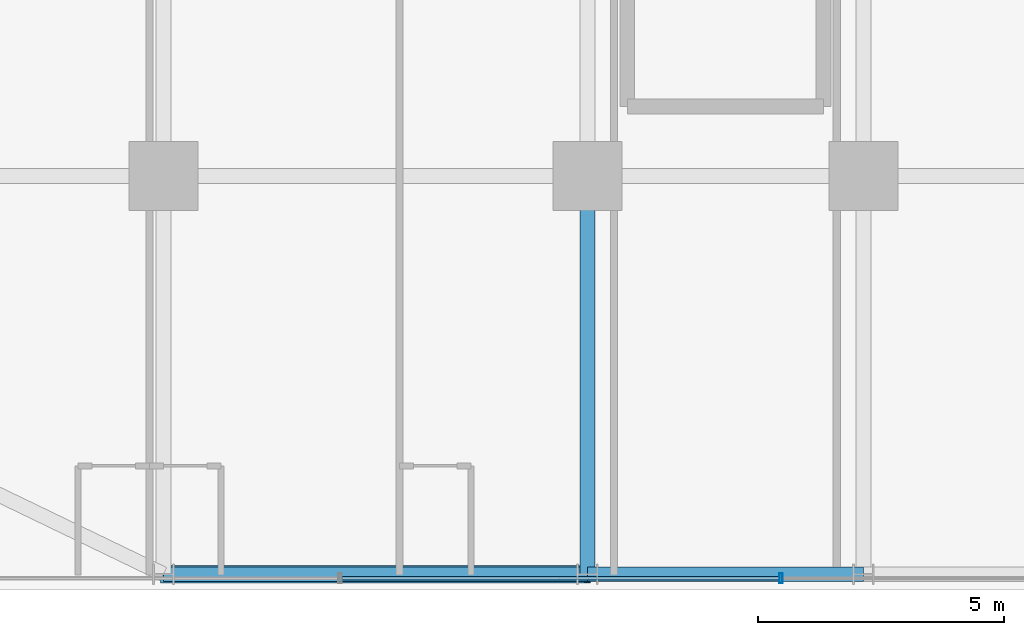
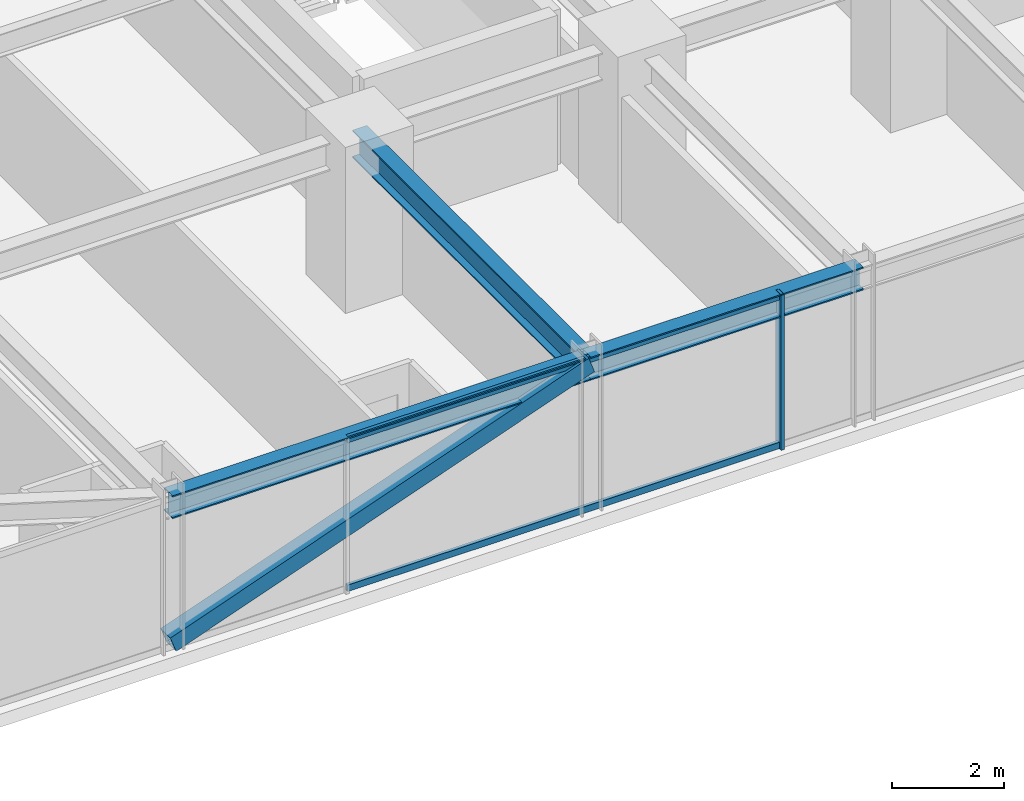
# One storey, part 5 of 43: 4 members, 3 beams, 1 element without a shape of its own.
"""IFC4 building model written with IfcOpenShell, lengths in metres."""

import ifcopenshell
import ifcopenshell.guid

model = None  # the IFC model being written
_history = None  # IfcOwnerHistory: only IFC2X3 demands one
_inside = {}  # id of a spatial element -> (the spatial element, [elements in it])
_under = {}  # id of a project, library or spatial element -> (it, [spatial elements below it])
_declared = {}  # id of a project -> (the project, [libraries it declares])
_typed = {}  # id of a type object -> (the type object, [elements of that type])
_made_of = {}  # id of a material, layer set ... -> (it, [elements and type objects made of it])


def new_model(schema):
    """Start an empty IFC model of exactly this schema.

    Asked for "IFC4X3", IfcOpenShell would pick the latest addendum, in which some entities
    have other attributes; the version numbers below select the first issue.
    IFC2X3 requires an IfcOwnerHistory on every rooted entity: one is made here for all.
    """
    global model, _history
    if schema == "IFC4X3":
        model = ifcopenshell.file(schema_version=(4, 3, 0, 0))
    else:
        model = ifcopenshell.file(schema=schema)
    _inside.clear()
    _under.clear()
    _declared.clear()
    _typed.clear()
    _made_of.clear()
    _history = None
    if model.schema == "IFC2X3":
        org = make("IfcOrganization", Name="unknown")
        user = make(
            "IfcPersonAndOrganization",
            ThePerson=make("IfcPerson", FamilyName="unknown"),
            TheOrganization=org,
        )
        app = make(
            "IfcApplication",
            ApplicationDeveloper=org,
            Version="unknown",
            ApplicationFullName="unknown",
            ApplicationIdentifier="unknown",
        )
        _history = make(
            "IfcOwnerHistory",
            OwningUser=user,
            OwningApplication=app,
            ChangeAction="ADDED",
            CreationDate=0,
        )
    return model


def make(cls, **values):
    """One entity of the class cls with the attributes given. An attribute that is None is left unset."""
    return model.create_entity(
        cls, **{name: value for name, value in values.items() if value is not None}
    )


def rooted(cls, **values):
    """An entity with a GlobalId (a new one), such as an element, a storey or a relation."""
    return make(cls, GlobalId=ifcopenshell.guid.new(), OwnerHistory=_history, **values)


def si_unit(unit_type, name, prefix=None):
    """IfcSIUnit, for example si_unit("LENGTHUNIT", "METRE", prefix="MILLI")."""
    return make("IfcSIUnit", UnitType=unit_type, Prefix=prefix, Name=name)


def assignment(units):
    """IfcUnitAssignment: the units of a project."""
    return None if units is None else make("IfcUnitAssignment", Units=units)


def point(xyz):
    """IfcCartesianPoint."""
    return None if xyz is None else make("IfcCartesianPoint", Coordinates=xyz)


def direction(xyz):
    """IfcDirection."""
    return None if xyz is None else make("IfcDirection", DirectionRatios=xyz)


def frame(location, z_axis=None, x_axis=None):
    """IfcAxis2Placement3D, a coordinate frame: its origin and axes. An axis left out is left unset."""
    return make(
        "IfcAxis2Placement3D",
        Location=point(location),
        Axis=direction(z_axis),
        RefDirection=direction(x_axis),
    )


def frame_2d(location, x_axis=None):
    """IfcAxis2Placement2D, a coordinate frame in the plane: its origin and x axis."""
    return make(
        "IfcAxis2Placement2D", Location=point(location), RefDirection=direction(x_axis)
    )


def origin():
    """The frame at (0, 0, 0) with its axes left unset."""
    return frame((0.0, 0.0, 0.0))


def origin_2d():
    """The frame at (0, 0) in the plane with its x axis left unset."""
    return frame_2d((0.0, 0.0))


def place(relative_to, where):
    """IfcLocalPlacement: puts the frame where relative to a parent placement (None: the world)."""
    return make(
        "IfcLocalPlacement", PlacementRelTo=relative_to, RelativePlacement=where
    )


def context(
    kind, dimensions, precision=None, world=None, true_north=None, identifier=None
):
    """IfcGeometricRepresentationContext, for example the 3D "Model" context."""
    return make(
        "IfcGeometricRepresentationContext",
        ContextIdentifier=identifier,
        ContextType=kind,
        CoordinateSpaceDimension=dimensions,
        Precision=precision,
        WorldCoordinateSystem=world,
        TrueNorth=true_north,
    )


def subcontext(parent, identifier, kind, view, scale=None):
    """IfcGeometricRepresentationSubContext, for example "Body" below "Model"."""
    return make(
        "IfcGeometricRepresentationSubContext",
        ContextIdentifier=identifier,
        ContextType=kind,
        ParentContext=parent,
        TargetScale=scale,
        TargetView=view,
    )


def project(units=None, contexts=None):
    """IfcProject with its units and contexts."""
    return rooted(
        "IfcProject",
        Name="project",
        RepresentationContexts=contexts,
        UnitsInContext=assignment(units),
    )


def spatial(cls, under=None, at=None, **own):
    """A site, building, storey or space (cls), placed at a placement, below another one or the project."""
    s = rooted(cls, ObjectPlacement=at, **own)
    if under is not None:
        _under.setdefault(under.id(), (under, []))[1].append(s)
    return s


def profile(cls, at=None, kind="AREA", **sizes):
    """A parametric profile (cls). Its sizes go by their IFC names, for example OverallWidth=200.0."""
    return make(cls, ProfileType=kind, Position=at, **sizes)


def hollow_rectangle(**sizes):
    """IfcRectangleHollowProfileDef."""
    return profile("IfcRectangleHollowProfileDef", **sizes)


def i_section(**sizes):
    """IfcIShapeProfileDef."""
    return profile("IfcIShapeProfileDef", **sizes)


def extrude(swept, where, along, depth):
    """IfcExtrudedAreaSolid: the profile swept, set in the frame where, extruded along a direction by depth."""
    return make(
        "IfcExtrudedAreaSolid",
        SweptArea=swept,
        Position=where,
        ExtrudedDirection=direction(along),
        Depth=depth,
    )


def shape(context_of_items, identifier, shape_type, items):
    """IfcShapeRepresentation: the items that make up one representation, for example the "Body"."""
    return make(
        "IfcShapeRepresentation",
        ContextOfItems=context_of_items,
        RepresentationIdentifier=identifier,
        RepresentationType=shape_type,
        Items=items,
    )


def source(mapping_origin, context_of_items, identifier, shape_type, items):
    """IfcRepresentationMap: a shape defined once, which mapped items show again and again."""
    return make(
        "IfcRepresentationMap",
        MappingOrigin=mapping_origin,
        MappedRepresentation=shape(context_of_items, identifier, shape_type, items),
    )


def transform(
    local_origin,
    x_axis=None,
    y_axis=None,
    z_axis=None,
    scale=None,
    scale2=None,
    scale3=None,
    uniform=True,
):
    """IfcCartesianTransformationOperator3D, or its non-uniform kind. x_axis, y_axis, z_axis: its Axis1, 2, 3."""
    if uniform:
        return make(
            "IfcCartesianTransformationOperator3D",
            Axis1=direction(x_axis),
            Axis2=direction(y_axis),
            LocalOrigin=point(local_origin),
            Scale=scale,
            Axis3=direction(z_axis),
        )
    return make(
        "IfcCartesianTransformationOperator3DnonUniform",
        Axis1=direction(x_axis),
        Axis2=direction(y_axis),
        LocalOrigin=point(local_origin),
        Scale=scale,
        Axis3=direction(z_axis),
        Scale2=scale2,
        Scale3=scale3,
    )


def mapped(mapping_source, mapping_target):
    """IfcMappedItem: shows the shape of a source again, moved by a transform."""
    return make(
        "IfcMappedItem", MappingSource=mapping_source, MappingTarget=mapping_target
    )


def material(Name=None, Category=None):
    """IfcMaterial."""
    return make("IfcMaterial", Name=Name, Category=Category)


def material_profile(
    of_material, cross_section, Name=None, Category=None, Priority=None
):
    """IfcMaterialProfile: a cross section and its material."""
    return make(
        "IfcMaterialProfile",
        Name=Name,
        Material=of_material,
        Profile=cross_section,
        Priority=Priority,
        Category=Category,
    )


def profile_set(profiles, Name=None, composite=None):
    """IfcMaterialProfileSet."""
    return make(
        "IfcMaterialProfileSet",
        Name=Name,
        MaterialProfiles=profiles,
        CompositeProfile=composite,
    )


def made_of(thing, what):
    """Note that an element or type object is made of a material, layer set ...; save() writes the relation."""
    if what is not None:
        _made_of.setdefault(what.id(), (what, []))[1].append(thing)
    return thing


def type_object(cls, material=None, **own):
    """A type object (cls), such as IfcWallType, which elements share."""
    return made_of(rooted(cls, **own), material)


def element(
    cls,
    number,
    at=None,
    inside=None,
    cuts=None,
    type_object=None,
    material=None,
    context=None,
    identifier="Body",
    shape_type=None,
    held_by="IfcProductDefinitionShape",
    body=None,
    shapes=None,
    **own,
):
    """One element of the class cls, such as IfcWall. Its Tag is "e" and its number.

    at: its placement. inside: the storey or other place that contains it. cuts: it is an
    opening in that element (IfcRelVoidsElement). A single representation is given by context,
    identifier, shape_type and body (its items); several are given by shapes. held_by: the class
    of the entity that holds the representations. save() writes the other relations.
    """
    e = rooted(cls, Tag="e%d" % number, ObjectPlacement=at, **own)
    if body is not None:
        shapes = [shape(context, identifier, shape_type, body)]
    if shapes is not None:
        e.Representation = make(held_by, Representations=shapes)
    if inside is not None:
        _inside.setdefault(inside.id(), (inside, []))[1].append(e)
    if cuts is not None:
        rooted(
            "IfcRelVoidsElement", RelatingBuildingElement=cuts, RelatedOpeningElement=e
        )
    if type_object is not None:
        _typed.setdefault(type_object.id(), (type_object, []))[1].append(e)
    return made_of(e, material)


def aggregate(whole, parts):
    """IfcRelAggregates: a whole, such as a stair, and the parts it consists of."""
    return rooted("IfcRelAggregates", RelatingObject=whole, RelatedObjects=parts)


def save(model, path):
    """Write the relations noted so far, then the file.

    IfcRelAggregates (storeys below a building ...), IfcRelContainedInSpatialStructure (elements
    in a storey), IfcRelDefinesByType, IfcRelAssociatesMaterial and IfcRelDeclares: one each for
    every whole, place, type object, material and project.
    """
    for whole, parts in _under.values():
        aggregate(whole, parts)
    for where, things in _inside.values():
        rooted(
            "IfcRelContainedInSpatialStructure",
            RelatedElements=things,
            RelatingStructure=where,
        )
    for kind, things in _typed.values():
        rooted("IfcRelDefinesByType", RelatedObjects=things, RelatingType=kind)
    for what, things in _made_of.values():
        rooted("IfcRelAssociatesMaterial", RelatedObjects=things, RelatingMaterial=what)
    for by, libraries in _declared.values():
        rooted("IfcRelDeclares", RelatingContext=by, RelatedDefinitions=libraries)
    model.write(path)


model = new_model("IFC4")

# Units and contexts
model_context = context("Model", 3, precision=1e-05, world=origin(), true_north=direction((0.0, 1.0)))
body_context = subcontext(model_context, "Body", "Model", "MODEL_VIEW")
ifc_project = project(units=[si_unit("LENGTHUNIT", "METRE"), si_unit("AREAUNIT", "SQUARE_METRE"), si_unit("VOLUMEUNIT", "CUBIC_METRE"), si_unit("PLANEANGLEUNIT", "RADIAN"), si_unit("MASSUNIT", "GRAM", prefix="KILO")], contexts=[model_context])

# Site, building, storey
site_placement = place(None, origin())
site = spatial("IfcSite", under=ifc_project, at=site_placement, CompositionType="ELEMENT")
building_placement = place(site_placement, origin())
building = spatial("IfcBuilding", under=site, at=building_placement, Name="Nahalor Promenade Grand Hotel", CompositionType="ELEMENT")
storey_placement = place(building_placement, frame((0.0, 0.0, 47.0)))
storey = spatial("IfcBuildingStorey", under=building, at=storey_placement, Name="L10", CompositionType="ELEMENT", Elevation=47.0)

# Beams
ifc_material_1 = material(Name="Steel S355JR", Category="steel")
ifc_material_profile_1 = material_profile(ifc_material_1, i_section(OverallWidth=0.3, OverallDepth=0.5, WebThickness=0.0145, FlangeThickness=0.028, at=origin_2d()), Name="HEB 500")
ifc_profile_set_1 = profile_set([ifc_material_profile_1], Name="Steel S355JR")
beam_type_1 = type_object("IfcBeamType", Name="Beam-Spandrel-HEB500", PredefinedType="SPANDREL", material=ifc_profile_set_1)
shared_shape_1 = source(origin(), body_context, "Body", "SweptSolid", [
    extrude(i_section(OverallWidth=0.3, OverallDepth=0.5, WebThickness=0.0145, FlangeThickness=0.028, at=origin_2d()), origin(), (0.0, 0.0, 1.0), 8.60009765625),
])
beam_1_placement = place(storey_placement, frame((-17.0, -25.080078125, 3.1201171875), z_axis=(1.0, 0.0, 0.0), x_axis=(0.0, 1.0, 0.0)))
element("IfcBeam", 1, at=beam_1_placement, inside=storey, type_object=beam_type_1, Name="BM-L10-SP-S-0", PredefinedType="SPANDREL", context=body_context, shape_type="MappedRepresentation", body=[
    mapped(shared_shape_1, transform((0.0, 0.0, 0.0), scale=1.0)),
])
shared_shape_2 = source(origin(), body_context, "Body", "SweptSolid", [
    extrude(i_section(OverallWidth=0.3, OverallDepth=0.5, WebThickness=0.0145, FlangeThickness=0.028, at=origin_2d()), origin(), (0.0, 0.0, 1.0), 5.599853515625),
])
beam_2_placement = place(storey_placement, frame((-8.39990234375, -25.080078125, 3.1201171875), z_axis=(1.0, 0.0, 0.0), x_axis=(0.0, 1.0, 0.0)))
element("IfcBeam", 2, at=beam_2_placement, inside=storey, type_object=beam_type_1, Name="BM-L10-SP-S-1", PredefinedType="SPANDREL", context=body_context, shape_type="MappedRepresentation", body=[
    mapped(shared_shape_2, transform((0.0, 0.0, 0.0), scale=1.0)),
])
ifc_material_profile_2 = material_profile(ifc_material_1, i_section(OverallWidth=0.3, OverallDepth=0.6, WebThickness=0.0155, FlangeThickness=0.03, at=origin_2d()), Name="HEB 600")
ifc_profile_set_2 = profile_set([ifc_material_profile_2], Name="Steel S355JR")
beam_type_2 = type_object("IfcBeamType", Name="Beam-Girder-HEB600", PredefinedType="BEAM", material=ifc_profile_set_2)
shared_shape_3 = source(origin(), body_context, "Body", "SweptSolid", [
    extrude(i_section(OverallWidth=0.3, OverallDepth=0.6, WebThickness=0.0155, FlangeThickness=0.03, at=origin_2d()), origin(), (0.0, 0.0, 1.0), 8.080078125),
])
beam_3_placement = place(storey_placement, frame((-8.39990234375, -25.080078125, 3.070068359375), z_axis=(0.0, 1.0, 0.0), x_axis=(-1.0, 0.0, 0.0)))
element("IfcBeam", 3, at=beam_3_placement, inside=storey, type_object=beam_type_2, Name="BM-L10-GY-1-0", PredefinedType="BEAM", context=body_context, shape_type="MappedRepresentation", body=[
    mapped(shared_shape_3, transform((0.0, 0.0, 0.0), scale=1.0)),
])

# Member
ifc_material_profile_3 = material_profile(ifc_material_1, hollow_rectangle(XDim=0.35, YDim=0.35, WallThickness=0.02, at=origin_2d()), Name="SHS 350x350x20")
ifc_profile_set_3 = profile_set([ifc_material_profile_3], Name="Steel S355JR")
member_type_1 = type_object("IfcMemberType", Name="Mem-VoidBrace-SHS350", PredefinedType="BRACE", material=ifc_profile_set_3)
shared_shape_4 = source(origin(), body_context, "Body", "SweptSolid", [
    extrude(hollow_rectangle(XDim=0.35, YDim=0.35, WallThickness=0.02, at=origin_2d()), origin(), (0.0, 0.0, 1.0), 9.131591796875),
])
member_1_placement = place(storey_placement, frame((-17.0, -25.080078125, 0.14990234375), z_axis=(0.941790292179, 0.0, 0.336200900589), x_axis=(0.0, 1.0, 0.0)))
element("IfcMember", 4, at=member_1_placement, inside=storey, type_object=member_type_1, Name="EXO-L10-S-0", PredefinedType="BRACE", context=body_context, shape_type="MappedRepresentation", body=[
    mapped(shared_shape_4, transform((0.0, 0.0, 0.0), scale=1.0)),
])

# Curtain wall, members
ifc_material_2 = material(Name="Anodised Bronze Aluminium EN AW-6063 T6", Category="aluminium")
curtain_wall_type = type_object("IfcCurtainWallType", Name="CW3 Elliptical-Void Collar Unitised Curtain Wall", PredefinedType="USERDEFINED", material=ifc_material_2)
curtain_wall_placement = place(storey_placement, origin())
curtain_wall = element("IfcCurtainWall", 5, at=curtain_wall_placement, inside=storey, type_object=curtain_wall_type, Name="L10 Curtain Wall CW-L10-S-1", ObjectType="UNITISED_CURTAIN_WALL", PredefinedType="USERDEFINED")
ifc_material_profile_4 = material_profile(ifc_material_2, hollow_rectangle(XDim=0.07, YDim=0.14, WallThickness=0.004, at=origin_2d()), Name="CWT 70x140x4")
ifc_profile_set_4 = profile_set([ifc_material_profile_4], Name="Anodised Bronze Aluminium EN AW-6063 T6")
member_type_2 = type_object("IfcMemberType", Name="CWT3 Void Collar Transom 70x140", PredefinedType="USERDEFINED", material=ifc_profile_set_4)
shared_shape_5 = source(origin(), body_context, "Body", "SweptSolid", [
    extrude(hollow_rectangle(XDim=0.07, YDim=0.14, WallThickness=0.004, at=origin_2d()), origin(), (0.0, 0.0, 1.0), 8.8740234375),
])
member_2_placement = place(storey_placement, frame((-13.381103515625, -25.159912109375, 0.070068359375), z_axis=(1.0, 0.0, 0.0), x_axis=(0.0, 1.0, 0.0)))
member_2 = element("IfcMember", 6, at=member_2_placement, type_object=member_type_2, Name="CW-L10-S-1 Transom 1-0", ObjectType="TRANSOM", PredefinedType="USERDEFINED", context=body_context, shape_type="MappedRepresentation", body=[
    mapped(shared_shape_5, transform((0.0, 0.0, 0.0), scale=1.0)),
])
member_3_placement = place(storey_placement, frame((-13.381103515625, -25.159912109375, 3.300048828125), z_axis=(1.0, 0.0, 0.0), x_axis=(0.0, 1.0, 0.0)))
member_3 = element("IfcMember", 7, at=member_3_placement, type_object=member_type_2, Name="CW-L10-S-1 Transom 1-1", ObjectType="TRANSOM", PredefinedType="USERDEFINED", context=body_context, shape_type="MappedRepresentation", body=[
    mapped(shared_shape_5, transform((0.0, 0.0, 0.0), scale=1.0)),
])
ifc_material_profile_5 = material_profile(ifc_material_2, hollow_rectangle(XDim=0.07, YDim=0.2, WallThickness=0.005, at=origin_2d()), Name="CWM 70x200x5")
ifc_profile_set_5 = profile_set([ifc_material_profile_5], Name="Anodised Bronze Aluminium EN AW-6063 T6")
member_type_3 = type_object("IfcMemberType", Name="CWM3 Void Collar Mullion 70x200", PredefinedType="MULLION", material=ifc_profile_set_5)
shared_shape_6 = source(origin(), body_context, "Body", "SweptSolid", [
    extrude(hollow_rectangle(XDim=0.07, YDim=0.2, WallThickness=0.005, at=origin_2d()), origin(), (0.0, 0.0, 1.0), 3.3701171875),
])
member_4_placement = place(storey_placement, frame((-4.471923828125, -25.159912109375, 0.0), z_axis=(0.0, 0.0, 1.0), x_axis=(1.0, 0.0, 0.0)))
member_4 = element("IfcMember", 8, at=member_4_placement, type_object=member_type_3, Name="CW-L10-S-1 Mullion 2", PredefinedType="MULLION", context=body_context, shape_type="MappedRepresentation", body=[
    mapped(shared_shape_6, transform((0.0, 0.0, 0.0), scale=1.0)),
])
aggregate(curtain_wall, [member_4, member_2, member_3])

save(model, "model.ifc")
